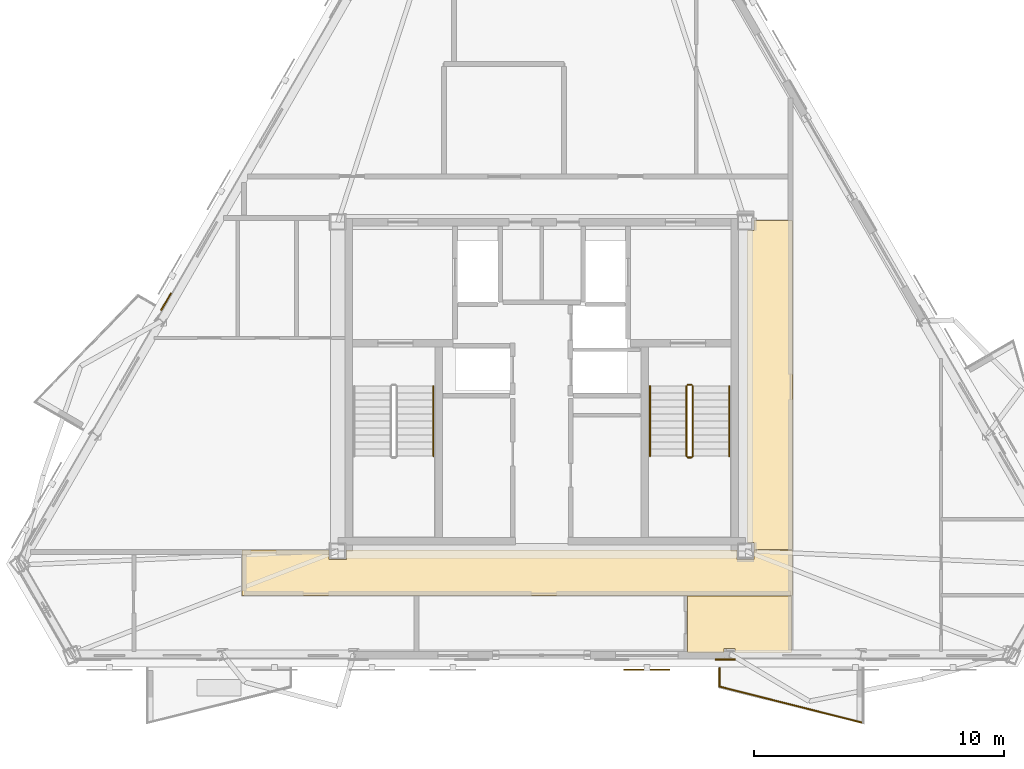
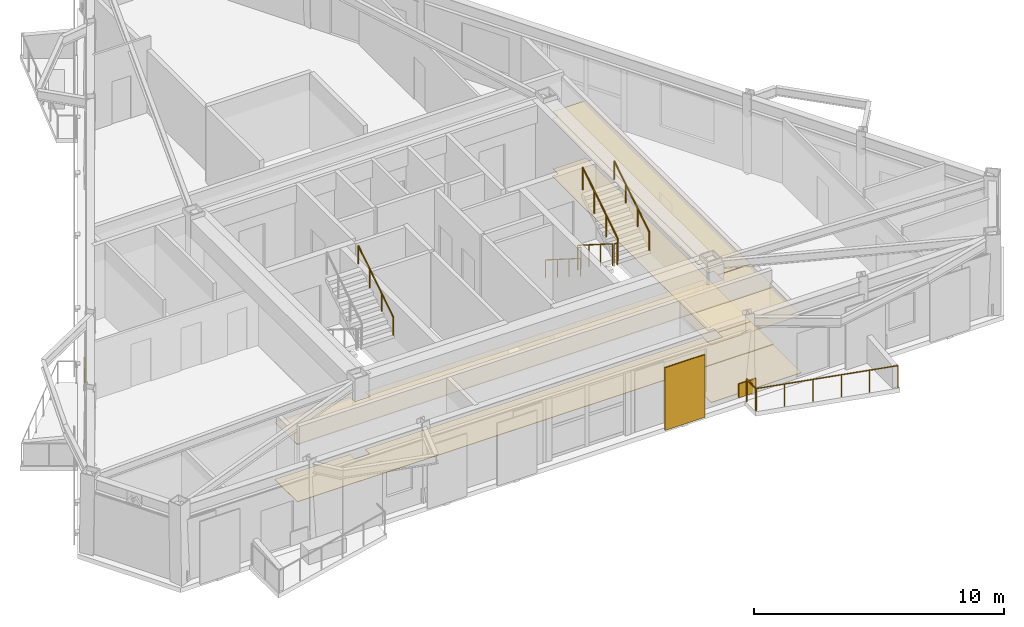
# One storey, part 13 of 15: 9 railings, 8 coverings, 1 shading device.
"""IFC4 building model written with IfcOpenShell, lengths in metres."""

from ifc_helpers import new_model, si_unit, direction, frame, origin, origin_2d, place, context, subcontext, project, spatial, polyline, rectangle, circle, outline, extrude, material, layer, layer_set, type_object, element, save


model = new_model("IFC4")

# Units and contexts
model_context = context("Model", 3, precision=1e-05, world=origin(), true_north=direction((0.0, 1.0)))
body_context = subcontext(model_context, "Body", "Model", "MODEL_VIEW")
ifc_project = project(units=[si_unit("LENGTHUNIT", "METRE"), si_unit("AREAUNIT", "SQUARE_METRE"), si_unit("VOLUMEUNIT", "CUBIC_METRE"), si_unit("PLANEANGLEUNIT", "RADIAN"), si_unit("MASSUNIT", "GRAM", prefix="KILO")], contexts=[model_context])

# Site, building, storey
site_placement = place(None, origin())
site = spatial("IfcSite", under=ifc_project, at=site_placement, CompositionType="ELEMENT")
building_placement = place(site_placement, origin())
building = spatial("IfcBuilding", under=site, at=building_placement, Name="Oramaril Tower", CompositionType="ELEMENT")
storey_placement = place(building_placement, frame((0.0, 0.0, 288.89990234375)))
storey = spatial("IfcBuildingStorey", under=building, at=storey_placement, Name="L76", CompositionType="ELEMENT", Elevation=288.89990234375)

# Coverings
ifc_material_1 = material(Name="Mineral Fibre Acoustic Ceiling")
ifc_layer_1 = layer(ifc_material_1, 0.02001953125)
ifc_layer_set_1 = layer_set([ifc_layer_1], Name="CVT-CEIL")
covering_type_1 = type_object("IfcCoveringType", Name="CVT-CEIL", PredefinedType="CEILING", material=ifc_layer_set_1)
covering_1_placement = place(storey_placement, frame((0.0, 0.0, 2.81201171875)))
element("IfcCovering", 1, at=covering_1_placement, inside=storey, type_object=covering_type_1, Name="L76 Acoustic Suspended Ceiling 1", PredefinedType="CEILING", context=body_context, shape_type="SweptSolid", body=[
    extrude(outline(polyline([(29.0048828125, 10.655029296875), (29.695068359375, 10.655029296875), (29.695068359375, 11.030029296875), (45.304931640625, 11.030029296875), (45.304931640625, 10.655029296875), (45.9951171875, 10.655029296875), (45.9951171875, 11.030029296875), (47.530029296875, 11.030029296875), (47.530029296875, 9.219970703125), (25.52001953125, 9.219970703125), (25.52001953125, 11.030029296875), (29.0048828125, 11.030029296875), (29.0048828125, 10.655029296875)])), origin(), (0.0, 0.0, 1.0), 0.02001953125),
])
covering_2_placement = place(storey_placement, frame((0.0, 0.0, 2.81201171875)))
element("IfcCovering", 2, at=covering_2_placement, inside=storey, type_object=covering_type_1, Name="L76 Acoustic Suspended Ceiling 3", PredefinedType="CEILING", context=body_context, shape_type="SweptSolid", body=[
    extrude(outline(polyline([(47.530029296875, 11.050048828125), (45.9951171875, 11.050048828125), (45.9951171875, 11.344970703125), (45.719970703125, 11.344970703125), (45.719970703125, 23.804931640625), (45.9951171875, 23.804931640625), (45.9951171875, 24.219970703125), (47.530029296875, 24.219970703125), (47.530029296875, 11.050048828125)])), origin(), (0.0, 0.0, 1.0), 0.02001953125),
])
covering_3_placement = place(storey_placement, frame((0.0, 0.0, 2.81201171875)))
element("IfcCovering", 3, at=covering_3_placement, inside=storey, type_object=covering_type_1, Name="L76 Acoustic Suspended Ceiling 8", PredefinedType="CEILING", context=body_context, shape_type="SweptSolid", body=[
    extrude(outline(polyline([(45.220458984375, 7.091064453125), (44.798583984375, 7.091064453125), (44.798583984375, 6.935302734375), (43.325927734375, 6.935302734375), (43.325927734375, 9.199951171875), (47.491943359375, 9.199951171875), (47.491943359375, 6.935302734375), (45.220458984375, 6.935302734375), (45.220458984375, 7.091064453125)])), origin(), (0.0, 0.0, 1.0), 0.02001953125),
])
ifc_material_2 = material(Name="Warm Cream Limestone", Category="masonry")
ifc_layer_2 = layer(ifc_material_2, 0.050048828125)
ifc_layer_set_2 = layer_set([ifc_layer_2], Name="CVT-CLD")
covering_type_2 = type_object("IfcCoveringType", Name="CVT-CLD", PredefinedType="CLADDING", material=ifc_layer_set_2)
for number, where, z_axis, x_axis, name in (
    (4, (44.830078125, 6.659423828125, 0.0400390625), (0.0, 0.0, 1.0), (1.0, 0.0, 0.0), "L76 Warm Cream Limestone Spandrel Cladding"),
    (5, (22.48291015625, 20.970703125, 0.0400390625), (0.0, 0.0, 1.0), (-0.4999984885, -0.866026276448, 0.0), "L76 Warm Cream Limestone Spandrel Cladding"),
):
    element("IfcCovering", number, at=place(storey_placement, frame(where, z_axis=z_axis, x_axis=x_axis)), inside=storey, type_object=covering_type_2, Name=name, PredefinedType="CLADDING", context=body_context, shape_type="SweptSolid", body=[
        extrude(rectangle(XDim=0.800048828125, YDim=0.050048828125, at=origin_2d()), origin(), (0.0, 0.0, 1.0), 0.679931640625),
    ])
ifc_material_3 = material(Name="Honed Quartzite Stone Flooring", Category="masonry")
ifc_layer_3 = layer(ifc_material_3, 0.02490234375)
ifc_layer_set_3 = layer_set([ifc_layer_3], Name="CVT-FLR")
covering_type_3 = type_object("IfcCoveringType", Name="CVT-FLR", PredefinedType="FLOORING", material=ifc_layer_set_3)
covering_4_placement = place(storey_placement, origin())
element("IfcCovering", 6, at=covering_4_placement, inside=storey, type_object=covering_type_3, Name="L76 Honed Stone Floor Finish 1", PredefinedType="FLOORING", context=body_context, shape_type="SweptSolid", body=[
    extrude(outline(polyline([(29.0048828125, 10.655029296875), (29.695068359375, 10.655029296875), (29.695068359375, 11.030029296875), (45.304931640625, 11.030029296875), (45.304931640625, 10.655029296875), (45.9951171875, 10.655029296875), (45.9951171875, 11.030029296875), (47.530029296875, 11.030029296875), (47.530029296875, 9.219970703125), (25.52001953125, 9.219970703125), (25.52001953125, 11.030029296875), (29.0048828125, 11.030029296875), (29.0048828125, 10.655029296875)])), origin(), (0.0, 0.0, 1.0), 0.025146484375),
])
covering_5_placement = place(storey_placement, origin())
element("IfcCovering", 7, at=covering_5_placement, inside=storey, type_object=covering_type_3, Name="L76 Honed Stone Floor Finish 3", PredefinedType="FLOORING", context=body_context, shape_type="SweptSolid", body=[
    extrude(outline(polyline([(47.530029296875, 11.050048828125), (45.9951171875, 11.050048828125), (45.9951171875, 11.344970703125), (45.719970703125, 11.344970703125), (45.719970703125, 23.804931640625), (45.9951171875, 23.804931640625), (45.9951171875, 24.219970703125), (47.530029296875, 24.219970703125), (47.530029296875, 11.050048828125)])), origin(), (0.0, 0.0, 1.0), 0.025146484375),
])
covering_6_placement = place(storey_placement, origin())
element("IfcCovering", 8, at=covering_6_placement, inside=storey, type_object=covering_type_3, Name="L76 Honed Stone Floor Finish 8", PredefinedType="FLOORING", context=body_context, shape_type="SweptSolid", body=[
    extrude(outline(polyline([(45.220458984375, 7.091064453125), (44.798583984375, 7.091064453125), (44.798583984375, 6.935302734375), (43.325927734375, 6.935302734375), (43.325927734375, 9.199951171875), (47.491943359375, 9.199951171875), (47.491943359375, 6.935302734375), (45.220458984375, 6.935302734375), (45.220458984375, 7.091064453125)])), origin(), (0.0, 0.0, 1.0), 0.025146484375),
])

# Railings
ifc_material_4 = material(Name="Stainless Steel 316L", Category="steel")
railing_type_1 = type_object("IfcRailingType", Name="RLT-GRD", PredefinedType="GUARDRAIL", material=ifc_material_4)
railing_1_placement = place(storey_placement, frame((50.343505859375, 4.12744140625, 0.0)))
element("IfcRailing", 9, at=railing_1_placement, inside=storey, type_object=railing_type_1, Name="L76 Balcony Guardrail L76-BAL-S2.2", PredefinedType="GUARDRAIL", context=body_context, shape_type="SweptSolid", body=[
    extrude(circle(Radius=0.02392578125, at=origin_2d()), frame((0.0, 0.0, 1.076171875), z_axis=(-0.969443611257, 0.245314256807, 0.0), x_axis=(-0.245314256807, -0.969443611257, 0.0)), (0.0, 0.0, 1.0), 5.91064453125),
    extrude(circle(Radius=0.02099609375, at=origin_2d()), origin(), (0.0, 0.0, 1.0), 1.052001953125),
    extrude(circle(Radius=0.02099609375, at=origin_2d()), frame((-1.14599609375, 0.2900390625, 0.0)), (0.0, 0.0, 1.0), 1.052001953125),
    extrude(circle(Radius=0.02099609375, at=origin_2d()), frame((-2.2919921875, 0.580078125, 0.0)), (0.0, 0.0, 1.0), 1.052001953125),
    extrude(circle(Radius=0.02099609375, at=origin_2d()), frame((-3.43798828125, 0.869873046875, 0.0)), (0.0, 0.0, 1.0), 1.052001953125),
    extrude(circle(Radius=0.02099609375, at=origin_2d()), frame((-4.583984375, 1.159912109375, 0.0)), (0.0, 0.0, 1.0), 1.052001953125),
    extrude(circle(Radius=0.02099609375, at=origin_2d()), frame((-5.72998046875, 1.449951171875, 0.0)), (0.0, 0.0, 1.0), 1.052001953125),
])
railing_2_placement = place(storey_placement, frame((44.613525390625, 5.577392578125, 0.0)))
element("IfcRailing", 10, at=railing_2_placement, inside=storey, type_object=railing_type_1, Name="L76 Balcony Guardrail L76-BAL-S2.3", PredefinedType="GUARDRAIL", context=body_context, shape_type="SweptSolid", body=[
    extrude(circle(Radius=0.02392578125, at=origin_2d()), frame((0.0, 0.0, 1.076171875), z_axis=(0.0, 1.0, 0.0), x_axis=(-1.0, 0.0, 0.0)), (0.0, 0.0, 1.0), 0.741943359375),
    extrude(circle(Radius=0.02099609375, at=origin_2d()), origin(), (0.0, 0.0, 1.0), 1.052001953125),
    extrude(circle(Radius=0.02099609375, at=origin_2d()), frame((0.0, 0.741943359375, 0.0)), (0.0, 0.0, 1.0), 1.052001953125),
])
railing_3_placement = place(storey_placement, frame((43.2900390625, 17.590087890625, 0.177490234375)))
element("IfcRailing", 11, at=railing_3_placement, inside=storey, type_object=railing_type_1, Name="L76 ST-2 stair guard 1", PredefinedType="GUARDRAIL", context=body_context, shape_type="SweptSolid", body=[
    extrude(circle(Radius=0.02392578125, at=origin_2d()), frame((0.0, 0.0, 1.076171875), z_axis=(0.0, -0.844908973607, 0.534910110503), x_axis=(1.0, 0.0, 0.0)), (0.0, 0.0, 1.0), 3.31396484375),
    extrude(circle(Radius=0.02099609375, at=origin_2d()), origin(), (0.0, 0.0, 1.0), 1.052001953125),
    extrude(circle(Radius=0.02099609375, at=origin_2d()), frame((0.0, -0.933349609375, 0.5908203125)), (0.0, 0.0, 1.0), 1.052001953125),
    extrude(circle(Radius=0.02099609375, at=origin_2d()), frame((0.0, -1.86669921875, 1.181884765625)), (0.0, 0.0, 1.0), 1.052001953125),
    extrude(circle(Radius=0.02099609375, at=origin_2d()), frame((0.0, -2.800048828125, 1.772705078125)), (0.0, 0.0, 1.0), 1.052001953125),
])
railing_4_placement = place(storey_placement, frame((43.340087890625, 14.739990234375, 1.9501953125)))
element("IfcRailing", 12, at=railing_4_placement, inside=storey, type_object=railing_type_1, Name="L76 ST-2 stair guard 2", PredefinedType="GUARDRAIL", context=body_context, shape_type="SweptSolid", body=[
    extrude(circle(Radius=0.02392578125, at=origin_2d()), frame((0.0, 0.0, 1.076171875), z_axis=(1.0, 0.0, 0.0), x_axis=(0.0, 1.0, 0.0)), (0.0, 0.0, 1.0), 0.14990234375),
    extrude(circle(Radius=0.02099609375, at=origin_2d()), origin(), (0.0, 0.0, 1.0), 1.052001953125),
    extrude(circle(Radius=0.02099609375, at=origin_2d()), frame((0.14990234375, 0.0, 0.0)), (0.0, 0.0, 1.0), 1.052001953125),
])
railing_5_placement = place(storey_placement, frame((43.5400390625, 14.7900390625, 2.12744140625)))
element("IfcRailing", 13, at=railing_5_placement, inside=storey, type_object=railing_type_1, Name="L76 ST-2 stair guard 3", PredefinedType="GUARDRAIL", context=body_context, shape_type="SweptSolid", body=[
    extrude(circle(Radius=0.02392578125, at=origin_2d()), frame((0.0, 0.0, 1.076171875), z_axis=(0.0, 0.844908973607, 0.534910110503), x_axis=(-1.0, 0.0, 0.0)), (0.0, 0.0, 1.0), 3.31396484375),
    extrude(circle(Radius=0.02099609375, at=origin_2d()), origin(), (0.0, 0.0, 1.0), 1.052001953125),
    extrude(circle(Radius=0.02099609375, at=origin_2d()), frame((0.0, 0.933349609375, 0.5908203125)), (0.0, 0.0, 1.0), 1.052001953125),
    extrude(circle(Radius=0.02099609375, at=origin_2d()), frame((0.0, 1.86669921875, 1.181884765625)), (0.0, 0.0, 1.0), 1.052001953125),
    extrude(circle(Radius=0.02099609375, at=origin_2d()), frame((0.0, 2.800048828125, 1.772705078125)), (0.0, 0.0, 1.0), 1.052001953125),
])
railing_6_placement = place(storey_placement, frame((43.340087890625, 17.639892578125, 0.0)))
element("IfcRailing", 14, at=railing_6_placement, inside=storey, type_object=railing_type_1, Name="L76 ST-2 stair guard 4", PredefinedType="GUARDRAIL", context=body_context, shape_type="SweptSolid", body=[
    extrude(circle(Radius=0.02392578125, at=origin_2d()), frame((0.0, 0.0, 1.076171875), z_axis=(1.0, 0.0, 0.0), x_axis=(0.0, 1.0, 0.0)), (0.0, 0.0, 1.0), 0.14990234375),
    extrude(circle(Radius=0.02099609375, at=origin_2d()), origin(), (0.0, 0.0, 1.0), 1.052001953125),
    extrude(circle(Radius=0.02099609375, at=origin_2d()), frame((0.14990234375, 0.0, 0.0)), (0.0, 0.0, 1.0), 1.052001953125),
])
ifc_material_5 = material(Name="Stainless Steel 316L", Category="steel")
railing_type_2 = type_object("IfcRailingType", Name="RLT-HND", PredefinedType="HANDRAIL", material=ifc_material_5)
railing_7_placement = place(storey_placement, frame((33.169921875, 14.7900390625, 2.12744140625)))
element("IfcRailing", 15, at=railing_7_placement, inside=storey, type_object=railing_type_2, Name="L76 ST-1 stair handrail 2", PredefinedType="HANDRAIL", context=body_context, shape_type="SweptSolid", body=[
    extrude(circle(Radius=0.02392578125, at=origin_2d()), frame((0.0, 0.0, 0.8759765625), z_axis=(0.0, 0.844908973607, 0.534910110503), x_axis=(-1.0, 0.0, 0.0)), (0.0, 0.0, 1.0), 3.31396484375),
    extrude(circle(Radius=0.02099609375, at=origin_2d()), origin(), (0.0, 0.0, 1.0), 0.851806640625),
    extrude(circle(Radius=0.02099609375, at=origin_2d()), frame((0.0, 0.933349609375, 0.5908203125)), (0.0, 0.0, 1.0), 0.851806640625),
    extrude(circle(Radius=0.02099609375, at=origin_2d()), frame((0.0, 1.86669921875, 1.181884765625)), (0.0, 0.0, 1.0), 0.851806640625),
    extrude(circle(Radius=0.02099609375, at=origin_2d()), frame((0.0, 2.800048828125, 1.772705078125)), (0.0, 0.0, 1.0), 0.851806640625),
])
railing_8_placement = place(storey_placement, frame((41.830078125, 17.590087890625, 0.177490234375)))
element("IfcRailing", 16, at=railing_8_placement, inside=storey, type_object=railing_type_2, Name="L76 ST-2 stair handrail 1", PredefinedType="HANDRAIL", context=body_context, shape_type="SweptSolid", body=[
    extrude(circle(Radius=0.02392578125, at=origin_2d()), frame((0.0, 0.0, 0.8759765625), z_axis=(0.0, -0.844908973607, 0.534910110503), x_axis=(1.0, 0.0, 0.0)), (0.0, 0.0, 1.0), 3.31396484375),
    extrude(circle(Radius=0.02099609375, at=origin_2d()), origin(), (0.0, 0.0, 1.0), 0.851806640625),
    extrude(circle(Radius=0.02099609375, at=origin_2d()), frame((0.0, -0.933349609375, 0.5908203125)), (0.0, 0.0, 1.0), 0.851806640625),
    extrude(circle(Radius=0.02099609375, at=origin_2d()), frame((0.0, -1.86669921875, 1.181884765625)), (0.0, 0.0, 1.0), 0.851806640625),
    extrude(circle(Radius=0.02099609375, at=origin_2d()), frame((0.0, -2.800048828125, 1.772705078125)), (0.0, 0.0, 1.0), 0.851806640625),
])
railing_9_placement = place(storey_placement, frame((45.0, 14.7900390625, 2.12744140625)))
element("IfcRailing", 17, at=railing_9_placement, inside=storey, type_object=railing_type_2, Name="L76 ST-2 stair handrail 2", PredefinedType="HANDRAIL", context=body_context, shape_type="SweptSolid", body=[
    extrude(circle(Radius=0.02392578125, at=origin_2d()), frame((0.0, 0.0, 0.8759765625), z_axis=(0.0, 0.844908973607, 0.534910110503), x_axis=(-1.0, 0.0, 0.0)), (0.0, 0.0, 1.0), 3.31396484375),
    extrude(circle(Radius=0.02099609375, at=origin_2d()), origin(), (0.0, 0.0, 1.0), 0.851806640625),
    extrude(circle(Radius=0.02099609375, at=origin_2d()), frame((0.0, 0.933349609375, 0.5908203125)), (0.0, 0.0, 1.0), 0.851806640625),
    extrude(circle(Radius=0.02099609375, at=origin_2d()), frame((0.0, 1.86669921875, 1.181884765625)), (0.0, 0.0, 1.0), 0.851806640625),
    extrude(circle(Radius=0.02099609375, at=origin_2d()), frame((0.0, 2.800048828125, 1.772705078125)), (0.0, 0.0, 1.0), 0.851806640625),
])

# Shading device
shading_device_placement = place(storey_placement, frame((41.7041015625, 6.247314453125, -0.02001953125), z_axis=(0.0, 0.0, 1.0), x_axis=(1.0, 0.0, 0.0)))
element("IfcShadingDevice", 18, at=shading_device_placement, inside=storey, Name="L76 Perforated Ceramic Solar Screen", ObjectType="SCREEN", PredefinedType="USERDEFINED", context=body_context, shape_type="SweptSolid", body=[
    extrude(rectangle(XDim=1.8330078125, YDim=0.050048828125, at=origin_2d()), origin(), (0.0, 0.0, 1.0), 3.05810546875),
])

save(model, "model.ifc")
